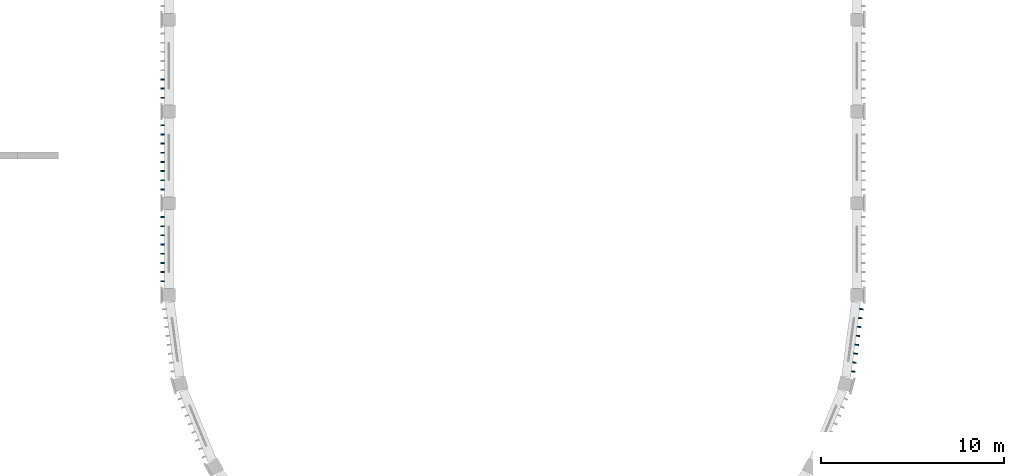
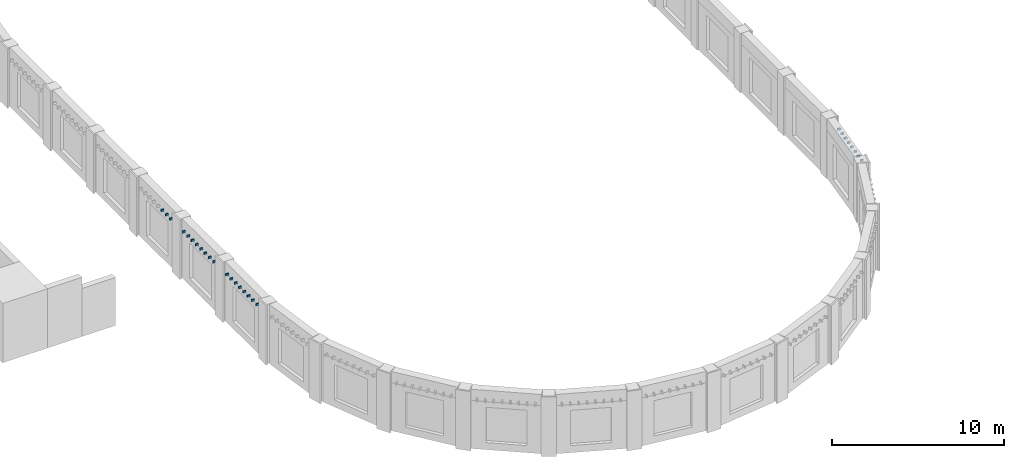
# One storey, part 48 of 71: 27 discrete accessories.
"""IFC4 building model written with IfcOpenShell, lengths in metres."""

from ifc_helpers import new_model, si_unit, direction, frame, origin, origin_2d, place, context, subcontext, project, spatial, rectangle, extrude, material, type_object, element, save


model = new_model("IFC4")

# Units and contexts
model_context = context("Model", 3, precision=1e-05, world=origin(), true_north=direction((0.0, 1.0)))
body_context = subcontext(model_context, "Body", "Model", "MODEL_VIEW")
ifc_project = project(units=[si_unit("LENGTHUNIT", "METRE"), si_unit("AREAUNIT", "SQUARE_METRE"), si_unit("VOLUMEUNIT", "CUBIC_METRE"), si_unit("PLANEANGLEUNIT", "RADIAN"), si_unit("MASSUNIT", "GRAM", prefix="KILO")], contexts=[model_context])

# Site, building, storey
site_placement = place(None, origin())
site = spatial("IfcSite", under=ifc_project, at=site_placement, CompositionType="ELEMENT")
building_placement = place(site_placement, origin())
building = spatial("IfcBuilding", under=site, at=building_placement, Name="Wasatch Bagh Community Centre", CompositionType="ELEMENT")
storey_placement = place(building_placement, frame((0.0, 0.0, 12.60009765625)))
storey = spatial("IfcBuildingStorey", under=building, at=storey_placement, Name="L03", CompositionType="ELEMENT", Elevation=12.60009765625)

# Discrete accessories
ifc_material = material(Name="ASTM A36 steel", Category="steel")
discrete_accessory_type = type_object("IfcDiscreteAccessoryType", Name="MH fin bracket", PredefinedType="BRACKET", material=ifc_material)
for number, where, z_axis, x_axis, name in (
    (1, (54.553955078125, 30.829345703125, 3.474853515625), (0.0, 0.0, 1.0), (0.13052619222, 0.991444861374, 0.0), "Fin bracket 12.2.3"),
    (2, (54.617919921875, 31.314697265625, 3.474853515625), (0.0, 0.0, 1.0), (0.13052619222, 0.991444861374, 0.0), "Fin bracket 12.3.3"),
    (3, (54.681640625, 31.800048828125, 3.474853515625), (0.0, 0.0, 1.0), (0.13052619222, 0.991444861374, 0.0), "Fin bracket 12.4.3"),
    (4, (54.74560546875, 32.28515625, 3.474853515625), (0.0, 0.0, 1.0), (0.13052619222, 0.991444861374, 0.0), "Fin bracket 12.5.3"),
    (5, (54.8095703125, 32.7705078125, 3.474853515625), (0.0, 0.0, 1.0), (0.13052619222, 0.991444861374, 0.0), "Fin bracket 12.6.3"),
    (6, (54.873291015625, 33.255859375, 3.474853515625), (0.0, 0.0, 1.0), (0.13052619222, 0.991444861374, 0.0), "Fin bracket 12.7.3"),
    (7, (54.937255859375, 33.7412109375, 3.474853515625), (0.0, 0.0, 1.0), (0.13052619222, 0.991444861374, 0.0), "Fin bracket 12.8.3"),
    (8, (55.001220703125, 34.226318359375, 3.474853515625), (0.0, 0.0, 1.0), (0.13052619222, 0.991444861374, 0.0), "Fin bracket 12.9.3"),
    (9, (16.89990234375, 46.75, 3.474853515625), (0.0, 0.0, 1.0), (0.0, -1.0, 0.0), "Fin bracket 34.7.3"),
    (10, (16.89990234375, 46.25, 3.474853515625), (0.0, 0.0, 1.0), (0.0, -1.0, 0.0), "Fin bracket 34.8.3"),
    (11, (16.89990234375, 45.75, 3.474853515625), (0.0, 0.0, 1.0), (0.0, -1.0, 0.0), "Fin bracket 34.9.3"),
    (12, (16.89990234375, 44.25, 3.474853515625), (0.0, 0.0, 1.0), (0.0, -1.0, 0.0), "Fin bracket 35.2.3"),
    (13, (16.89990234375, 43.75, 3.474853515625), (0.0, 0.0, 1.0), (0.0, -1.0, 0.0), "Fin bracket 35.3.3"),
    (14, (16.89990234375, 43.25, 3.474853515625), (0.0, 0.0, 1.0), (0.0, -1.0, 0.0), "Fin bracket 35.4.3"),
    (15, (16.89990234375, 42.75, 3.474853515625), (0.0, 0.0, 1.0), (0.0, -1.0, 0.0), "Fin bracket 35.5.3"),
    (16, (16.89990234375, 42.25, 3.474853515625), (0.0, 0.0, 1.0), (0.0, -1.0, 0.0), "Fin bracket 35.6.3"),
    (17, (16.89990234375, 41.75, 3.474853515625), (0.0, 0.0, 1.0), (0.0, -1.0, 0.0), "Fin bracket 35.7.3"),
    (18, (16.89990234375, 41.25, 3.474853515625), (0.0, 0.0, 1.0), (0.0, -1.0, 0.0), "Fin bracket 35.8.3"),
    (19, (16.89990234375, 40.75, 3.474853515625), (0.0, 0.0, 1.0), (0.0, -1.0, 0.0), "Fin bracket 35.9.3"),
    (20, (16.89990234375, 39.25, 3.474853515625), (0.0, 0.0, 1.0), (0.0, -1.0, 0.0), "Fin bracket 36.2.3"),
    (21, (16.89990234375, 38.75, 3.474853515625), (0.0, 0.0, 1.0), (0.0, -1.0, 0.0), "Fin bracket 36.3.3"),
    (22, (16.89990234375, 38.25, 3.474853515625), (0.0, 0.0, 1.0), (0.0, -1.0, 0.0), "Fin bracket 36.4.3"),
    (23, (16.89990234375, 37.75, 3.474853515625), (0.0, 0.0, 1.0), (0.0, -1.0, 0.0), "Fin bracket 36.5.3"),
    (24, (16.89990234375, 37.25, 3.474853515625), (0.0, 0.0, 1.0), (0.0, -1.0, 0.0), "Fin bracket 36.6.3"),
    (25, (16.89990234375, 36.75, 3.474853515625), (0.0, 0.0, 1.0), (0.0, -1.0, 0.0), "Fin bracket 36.7.3"),
    (26, (16.89990234375, 36.25, 3.474853515625), (0.0, 0.0, 1.0), (0.0, -1.0, 0.0), "Fin bracket 36.8.3"),
    (27, (16.89990234375, 35.75, 3.474853515625), (0.0, 0.0, 1.0), (0.0, -1.0, 0.0), "Fin bracket 36.9.3"),
):
    element("IfcDiscreteAccessory", number, at=place(storey_placement, frame(where, z_axis=z_axis, x_axis=x_axis)), inside=storey, type_object=discrete_accessory_type, Name=name, PredefinedType="BRACKET", context=body_context, shape_type="SweptSolid", body=[
        extrude(rectangle(XDim=0.070068359375, YDim=0.199951171875, at=origin_2d()), origin(), (0.0, 0.0, 1.0), 0.14990234375),
    ])

save(model, "model.ifc")
